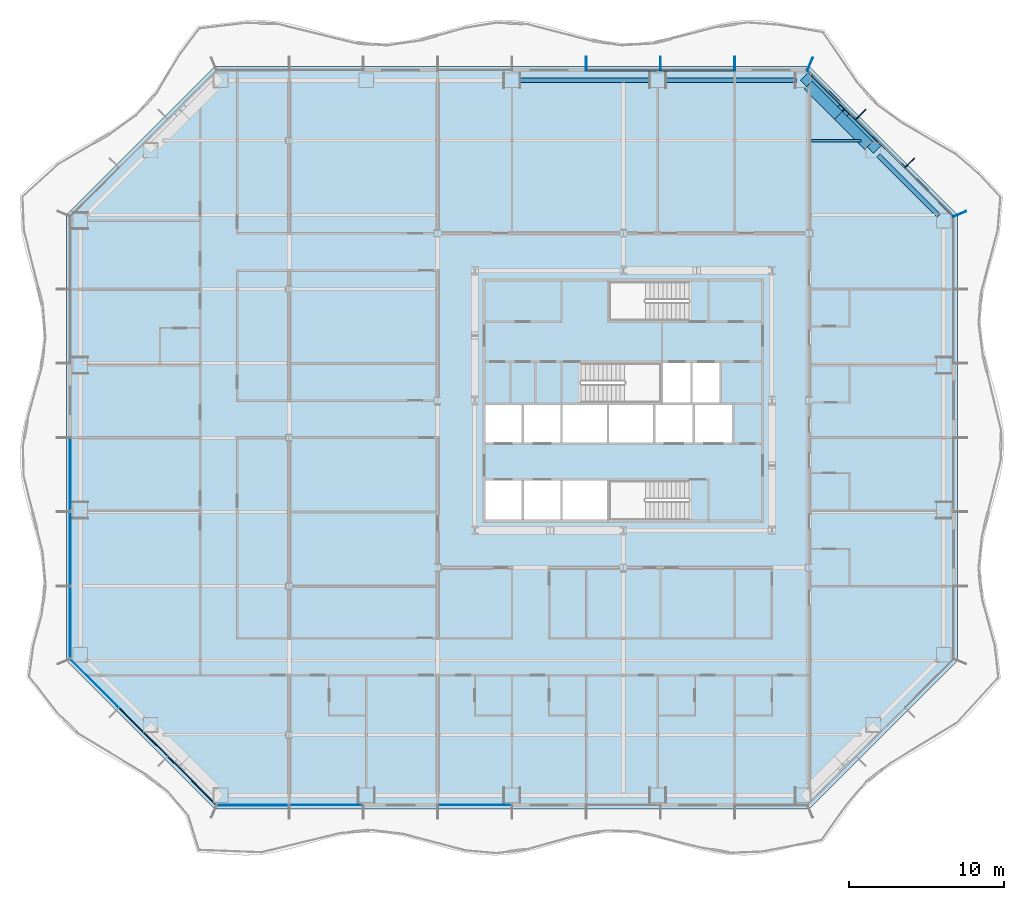
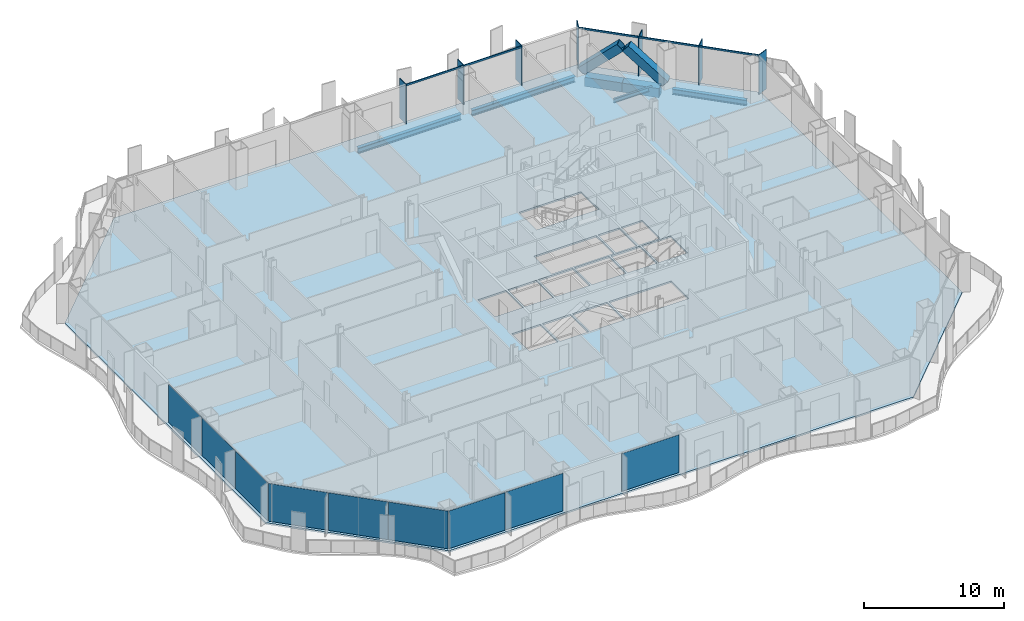
# One storey, part 4 of 21: 14 members, 9 plates, 6 beams, 1 slab, 5 elements without a shape of their own.
"""IFC4 building model written with IfcOpenShell, lengths in metres."""

from ifc_helpers import new_model, si_unit, direction, frame, origin, origin_2d, place, context, subcontext, project, spatial, polyline, rectangle, hollow_rectangle, i_section, outline, extrude, material, layer, layer_set, material_profile, profile_set, type_object, element, aggregate, save


model = new_model("IFC4")

# Units and contexts
model_context = context("Model", 3, precision=1e-05, world=origin(), true_north=direction((0.0, 1.0)))
body_context = subcontext(model_context, "Body", "Model", "MODEL_VIEW")
ifc_project = project(units=[si_unit("LENGTHUNIT", "METRE"), si_unit("AREAUNIT", "SQUARE_METRE"), si_unit("VOLUMEUNIT", "CUBIC_METRE"), si_unit("PLANEANGLEUNIT", "RADIAN"), si_unit("MASSUNIT", "GRAM", prefix="KILO")], contexts=[model_context])

# Site, building, storey
site_placement = place(None, origin())
site = spatial("IfcSite", under=ifc_project, at=site_placement, CompositionType="ELEMENT")
building_placement = place(site_placement, origin())
building = spatial("IfcBuilding", under=site, at=building_placement, Name="Cairn Pilgrim Tower", CompositionType="ELEMENT")
storey_placement = place(building_placement, frame((0.0, 0.0, 47.39990234375)))
storey = spatial("IfcBuildingStorey", under=building, at=storey_placement, Name="L09", CompositionType="ELEMENT", Elevation=47.39990234375)

# Members
ifc_material_1 = material(Name="Structural steel S460M", Category="steel")
ifc_material_profile_1 = material_profile(ifc_material_1, hollow_rectangle(XDim=0.699951171875, YDim=0.699951171875, WallThickness=0.0400390625, at=origin_2d()), Name="BOX 700x700x40")
ifc_profile_set_1 = profile_set([ifc_material_profile_1], Name="Structural steel S460M")
member_type_1 = type_object("IfcMemberType", Name="BOX 700x700x40 BRACE", PredefinedType="BRACE", material=ifc_profile_set_1)
member_1_placement = place(storey_placement, frame((23.44482421875, 18.786376953125, 0.150146484375), z_axis=(-0.528090425698, 0.528090425698, 0.665012033404), x_axis=(-0.707106781187, -0.707106781187, 0.0)))
element("IfcMember", 1, at=member_1_placement, inside=storey, type_object=member_type_1, Name="XB-NE2-N1-1", PredefinedType="BRACE", context=body_context, shape_type="SweptSolid", body=[
    extrude(hollow_rectangle(XDim=0.699951171875, YDim=0.699951171875, WallThickness=0.0400390625, at=origin_2d()), origin(), (0.0, 0.0, 1.0), 3.899658203125),
])
member_2_placement = place(storey_placement, frame((19.0498046875, 23.181396484375, 0.150146484375), z_axis=(0.528118110354, -0.528118110354, 0.664968061663), x_axis=(0.707106781187, 0.707106781187, 0.0)))
element("IfcMember", 2, at=member_2_placement, inside=storey, type_object=member_type_1, Name="XB-NE2-N1-2", PredefinedType="BRACE", context=body_context, shape_type="SweptSolid", body=[
    extrude(hollow_rectangle(XDim=0.699951171875, YDim=0.699951171875, WallThickness=0.0400390625, at=origin_2d()), origin(), (0.0, 0.0, 1.0), 3.89990234375),
])

# Beams
ifc_material_2 = material(Name="Structural steel S355J2", Category="steel")
ifc_material_profile_2 = material_profile(ifc_material_2, hollow_rectangle(XDim=0.699951171875, YDim=0.800048828125, WallThickness=0.0400390625, at=origin_2d()), Name="BOX 700x800x40")
ifc_profile_set_2 = profile_set([ifc_material_profile_2], Name="Structural steel S355J2")
beam_type_1 = type_object("IfcBeamType", Name="BOX 700x800x40 RING GIRDER", PredefinedType="SPANDREL", material=ifc_profile_set_2)
for number, where, z_axis, x_axis, name in (
    (3, (23.04541015625, 18.8818359375, -0.5498046875), (-0.707106781187, 0.707106781187, 0.0), (-0.707106781187, -0.707106781187, 0.0), "RG1-NE2-N1-1"),
    (4, (21.095458984375, 20.831787109375, -0.5498046875), (-0.707106781187, 0.707106781187, 0.0), (-0.707106781187, -0.707106781187, 0.0), "RG1-NE2-N1-2"),
):
    element("IfcBeam", number, at=place(storey_placement, frame(where, z_axis=z_axis, x_axis=x_axis)), inside=storey, type_object=beam_type_1, Name=name, PredefinedType="SPANDREL", context=body_context, shape_type="SweptSolid", body=[
        extrude(hollow_rectangle(XDim=0.699951171875, YDim=0.800048828125, WallThickness=0.0400390625, at=origin_2d()), origin(), (0.0, 0.0, 1.0), 2.757568359375),
    ])

# Curtain wall, members
ifc_material_3 = material(Name="Aluminium alloy 6063-T6 bronze anodised with Bronze tinted laminated low-E glass 8+16+8.8", Category="aluminium")
curtain_wall_type_1 = type_object("IfcCurtainWallType", Name="CHAMFER CORNER CURTAIN WALL", PredefinedType="NOTDEFINED", material=ifc_material_3)
curtain_wall_1_placement = place(storey_placement, origin())
curtain_wall_1 = element("IfcCurtainWall", 5, at=curtain_wall_1_placement, inside=storey, type_object=curtain_wall_type_1, Name="Chamfer Corner Curtain Wall NE", PredefinedType="NOTDEFINED")
ifc_material_4 = material(Name="Aluminium alloy 6063-T6 bronze anodised", Category="aluminium")
ifc_material_profile_3 = material_profile(ifc_material_4, rectangle(XDim=0.89990234375, YDim=0.06005859375, at=origin_2d()), Name="FIN MULLION 60x900 BRONZE")
ifc_profile_set_3 = profile_set([ifc_material_profile_3], Name="Aluminium alloy 6063-T6 bronze anodised")
member_type_2 = type_object("IfcMemberType", Name="FIN MULLION 60x900 BRONZE", PredefinedType="MULLION", material=ifc_profile_set_3)
member_3_placement = place(storey_placement, frame((28.93798828125, 14.457275390625, 0.0), z_axis=(0.0, 0.0, 1.0), x_axis=(0.923879532511, 0.382683432365, 0.0)))
member_3 = element("IfcMember", 6, at=member_3_placement, type_object=member_type_2, Name="Fin mullion NE1", PredefinedType="MULLION", context=body_context, shape_type="SweptSolid", body=[
    extrude(rectangle(XDim=0.89990234375, YDim=0.06005859375, at=origin_2d()), origin(), (0.0, 0.0, 1.0), 3.4501953125),
])
member_4_placement = place(storey_placement, frame((25.69580078125, 17.74462890625, 0.0), z_axis=(0.0, 0.0, 1.0), x_axis=(0.707106781187, 0.707106781187, 0.0)))
member_4 = element("IfcMember", 7, at=member_4_placement, type_object=member_type_2, Name="Fin mullion NE2", PredefinedType="MULLION", context=body_context, shape_type="SweptSolid", body=[
    extrude(rectangle(XDim=0.89990234375, YDim=0.06005859375, at=origin_2d()), origin(), (0.0, 0.0, 1.0), 3.4501953125),
])
member_5_placement = place(storey_placement, frame((22.544677734375, 20.895751953125, 0.0), z_axis=(0.0, 0.0, 1.0), x_axis=(0.707106781187, 0.707106781187, 0.0)))
member_5 = element("IfcMember", 8, at=member_5_placement, type_object=member_type_2, Name="Fin mullion NE3", PredefinedType="MULLION", context=body_context, shape_type="SweptSolid", body=[
    extrude(rectangle(XDim=0.89990234375, YDim=0.06005859375, at=origin_2d()), origin(), (0.0, 0.0, 1.0), 3.4501953125),
])

curtain_wall_type_2 = type_object("IfcCurtainWallType", Name="TOWER STICK CURTAIN WALL NS", PredefinedType="NOTDEFINED", material=ifc_material_3)
curtain_wall_2_placement = place(storey_placement, origin())
curtain_wall_2 = element("IfcCurtainWall", 9, at=curtain_wall_2_placement, inside=storey, type_object=curtain_wall_type_2, Name="Tower Stick Curtain Wall Ns N", PredefinedType="NOTDEFINED")
member_6_placement = place(storey_placement, frame((19.257080078125, 24.137939453125, 0.0), z_axis=(0.0, 0.0, 1.0), x_axis=(0.382683432365, 0.923879532511, 0.0)))
member_6 = element("IfcMember", 10, at=member_6_placement, type_object=member_type_2, Name="Fin mullion N1", PredefinedType="MULLION", context=body_context, shape_type="SweptSolid", body=[
    extrude(rectangle(XDim=0.89990234375, YDim=0.06005859375, at=origin_2d()), origin(), (0.0, 0.0, 1.0), 3.4501953125),
])
member_7_placement = place(storey_placement, frame((14.39990234375, 24.169921875, 0.0), z_axis=(0.0, 0.0, 1.0), x_axis=(0.0, 1.0, 0.0)))
member_7 = element("IfcMember", 11, at=member_7_placement, type_object=member_type_2, Name="Fin mullion N2", PredefinedType="MULLION", context=body_context, shape_type="SweptSolid", body=[
    extrude(rectangle(XDim=0.89990234375, YDim=0.06005859375, at=origin_2d()), origin(), (0.0, 0.0, 1.0), 3.4501953125),
])
member_8_placement = place(storey_placement, frame((9.60009765625, 24.169921875, 0.0), z_axis=(0.0, 0.0, 1.0), x_axis=(0.0, 1.0, 0.0)))
member_8 = element("IfcMember", 12, at=member_8_placement, type_object=member_type_2, Name="Fin mullion N3", PredefinedType="MULLION", context=body_context, shape_type="SweptSolid", body=[
    extrude(rectangle(XDim=0.89990234375, YDim=0.06005859375, at=origin_2d()), origin(), (0.0, 0.0, 1.0), 3.4501953125),
])
member_9_placement = place(storey_placement, frame((4.800048828125, 24.169921875, 0.0), z_axis=(0.0, 0.0, 1.0), x_axis=(0.0, 1.0, 0.0)))
member_9 = element("IfcMember", 13, at=member_9_placement, type_object=member_type_2, Name="Fin mullion N4", PredefinedType="MULLION", context=body_context, shape_type="SweptSolid", body=[
    extrude(rectangle(XDim=0.89990234375, YDim=0.06005859375, at=origin_2d()), origin(), (0.0, 0.0, 1.0), 3.4501953125),
])

# Beams
ifc_material_profile_4 = material_profile(ifc_material_2, i_section(OverallWidth=0.300048828125, OverallDepth=0.5, WebThickness=0.014404296875, FlangeThickness=0.028076171875, FilletRadius=0.027099609375, at=origin_2d()), Name="HEB 500")
ifc_profile_set_4 = profile_set([ifc_material_profile_4], Name="Structural steel S355J2")
beam_type_2 = type_object("IfcBeamType", Name="HEB 500 RING GIRDER", PredefinedType="SPANDREL", material=ifc_profile_set_4)
beam_1_placement = place(storey_placement, frame((27.581787109375, 14.345458984375, -0.39990234375), z_axis=(-0.707106781187, 0.707106781187, 0.0), x_axis=(-0.707106781187, -0.707106781187, 0.0)))
element("IfcBeam", 14, at=beam_1_placement, inside=storey, type_object=beam_type_2, Name="RG1-NE1-NE2", PredefinedType="SPANDREL", context=body_context, shape_type="SweptSolid", body=[
    extrude(i_section(OverallWidth=0.300048828125, OverallDepth=0.5, WebThickness=0.014404296875, FlangeThickness=0.028076171875, FilletRadius=0.027099609375, at=origin_2d()), origin(), (0.0, 0.0, 1.0), 5.515380859375),
])
for number, where, z_axis, x_axis, name in (
    (15, (18.377197265625, 23.10009765625, -0.39990234375), (-1.0, 0.0, 0.0), (0.0, -1.0, 0.0), "RG1-N1-N2"),
    (16, (8.963623046875, 23.10009765625, -0.39990234375), (-1.0, 0.0, 0.0), (0.0, -1.0, 0.0), "RG1-N2-N3"),
):
    element("IfcBeam", number, at=place(storey_placement, frame(where, z_axis=z_axis, x_axis=x_axis)), inside=storey, type_object=beam_type_2, Name=name, PredefinedType="SPANDREL", context=body_context, shape_type="SweptSolid", body=[
        extrude(i_section(OverallWidth=0.300048828125, OverallDepth=0.5, WebThickness=0.014404296875, FlangeThickness=0.028076171875, FilletRadius=0.027099609375, at=origin_2d()), origin(), (0.0, 0.0, 1.0), 8.513671875),
    ])
ifc_material_profile_5 = material_profile(ifc_material_2, i_section(OverallWidth=0.169921875, OverallDepth=0.360107421875, WebThickness=0.008056640625, FlangeThickness=0.0126953125, FilletRadius=0.01806640625, at=origin_2d()), Name="IPE 360")
ifc_profile_set_5 = profile_set([ifc_material_profile_5], Name="Structural steel S355J2")
beam_type_3 = type_object("IfcBeamType", Name="IPE 360 SECONDARY BEAM", PredefinedType="JOIST", material=ifc_profile_set_5)
beam_2_placement = place(storey_placement, frame((19.35009765625, 19.199951171875, -0.329833984375), z_axis=(1.0, 0.0, 0.0), x_axis=(0.0, 1.0, 0.0)))
element("IfcBeam", 17, at=beam_2_placement, inside=storey, type_object=beam_type_3, Name="SB9-5", PredefinedType="JOIST", context=body_context, shape_type="SweptSolid", body=[
    extrude(i_section(OverallWidth=0.169921875, OverallDepth=0.360107421875, WebThickness=0.008056640625, FlangeThickness=0.0126953125, FilletRadius=0.01806640625, at=origin_2d()), origin(), (0.0, 0.0, 1.0), 3.195068359375),
])

# Member
ifc_material_profile_6 = material_profile(ifc_material_4, rectangle(XDim=0.080078125, YDim=0.14990234375, at=origin_2d()), Name="TRANSOM 80x150 BRONZE")
ifc_profile_set_6 = profile_set([ifc_material_profile_6], Name="Aluminium alloy 6063-T6 bronze anodised")
member_type_3 = type_object("IfcMemberType", Name="TRANSOM 80x150 BRONZE", PredefinedType="USERDEFINED", material=ifc_profile_set_6)
member_10_placement = place(storey_placement, frame((28.521728515625, 14.32470703125, 3.375), z_axis=(-0.707106781187, 0.707106781187, 0.0), x_axis=(-0.707106781187, -0.707106781187, 0.0)))
member_10 = element("IfcMember", 18, at=member_10_placement, type_object=member_type_3, Name="Transom NE1", ObjectType="TRANSOM", PredefinedType="USERDEFINED", context=body_context, shape_type="SweptSolid", body=[
    extrude(rectangle(XDim=0.080078125, YDim=0.14990234375, at=origin_2d()), origin(), (0.0, 0.0, 1.0), 4.38671875),
])

member_11_placement = place(storey_placement, frame((25.377685546875, 17.46875, 3.375), z_axis=(-0.707106781187, 0.707106781187, 0.0), x_axis=(-0.707106781187, -0.707106781187, 0.0)))
member_11 = element("IfcMember", 19, at=member_11_placement, type_object=member_type_3, Name="Transom NE2", ObjectType="TRANSOM", PredefinedType="USERDEFINED", context=body_context, shape_type="SweptSolid", body=[
    extrude(rectangle(XDim=0.080078125, YDim=0.14990234375, at=origin_2d()), origin(), (0.0, 0.0, 1.0), 4.396728515625),
])

member_12_placement = place(storey_placement, frame((22.226318359375, 20.6201171875, 3.375), z_axis=(-0.707106781187, 0.707106781187, 0.0), x_axis=(-0.707106781187, -0.707106781187, 0.0)))
member_12 = element("IfcMember", 20, at=member_12_placement, type_object=member_type_3, Name="Transom NE3", ObjectType="TRANSOM", PredefinedType="USERDEFINED", context=body_context, shape_type="SweptSolid", body=[
    extrude(rectangle(XDim=0.080078125, YDim=0.14990234375, at=origin_2d()), origin(), (0.0, 0.0, 1.0), 4.38623046875),
])

aggregate(curtain_wall_1, [member_3, member_4, member_5, member_10, member_11, member_12])

member_13_placement = place(storey_placement, frame((14.3701171875, 23.75, 3.375), z_axis=(-1.0, 0.0, 0.0), x_axis=(0.0, -1.0, 0.0)))
member_13 = element("IfcMember", 21, at=member_13_placement, type_object=member_type_3, Name="Transom N2", ObjectType="TRANSOM", PredefinedType="USERDEFINED", context=body_context, shape_type="SweptSolid", body=[
    extrude(rectangle(XDim=0.080078125, YDim=0.14990234375, at=origin_2d()), origin(), (0.0, 0.0, 1.0), 4.740234375),
])

member_14_placement = place(storey_placement, frame((9.570068359375, 23.75, 3.375), z_axis=(-1.0, 0.0, 0.0), x_axis=(0.0, -1.0, 0.0)))
member_14 = element("IfcMember", 22, at=member_14_placement, type_object=member_type_3, Name="Transom N3", ObjectType="TRANSOM", PredefinedType="USERDEFINED", context=body_context, shape_type="SweptSolid", body=[
    extrude(rectangle(XDim=0.080078125, YDim=0.14990234375, at=origin_2d()), origin(), (0.0, 0.0, 1.0), 4.739990234375),
])

aggregate(curtain_wall_2, [member_6, member_7, member_8, member_9, member_13, member_14])

# Slab
ifc_material_5 = material(Name="Concrete C35/45", Category="concrete")
ifc_layer_1 = layer(ifc_material_5, 0.14990234375)
ifc_layer_set_1 = layer_set([ifc_layer_1], Name="COMPOSITE FLOOR SLAB 150")
slab_type = type_object("IfcSlabType", Name="COMPOSITE FLOOR SLAB 150", PredefinedType="FLOOR", material=ifc_layer_set_1)
slab_placement = place(storey_placement, frame((0.0, 0.0, -0.14990234375)))
element("IfcSlab", 23, at=slab_placement, inside=storey, type_object=slab_type, Name="FLOOR SLAB L09", PredefinedType="FLOOR", context=body_context, shape_type="SweptSolid", body=[
    extrude(outline(polyline([(-19.199951171875, -24.0), (19.199951171875, -24.0), (28.800048828125, -14.39990234375), (28.800048828125, 14.39990234375), (19.199951171875, 24.0), (-19.199951171875, 24.0), (-28.800048828125, 14.39990234375), (-28.800048828125, -14.39990234375), (-19.199951171875, -24.0)]), holes=[polyline([(-1.72509765625, -5.300048828125), (0.625, -5.300048828125), (0.625, -2.77490234375), (-1.72509765625, -2.77490234375), (-1.72509765625, -5.300048828125)]), polyline([(0.77490234375, -5.300048828125), (3.125, -5.300048828125), (3.125, -2.77490234375), (0.77490234375, -2.77490234375), (0.77490234375, -5.300048828125)]), polyline([(-1.72509765625, -0.324951171875), (0.625, -0.324951171875), (0.625, 2.125), (-1.72509765625, 2.125), (-1.72509765625, -0.324951171875)]), polyline([(0.77490234375, -0.324951171875), (3.125, -0.324951171875), (3.125, 2.125), (0.77490234375, 2.125), (0.77490234375, -0.324951171875)]), polyline([(3.27490234375, -5.300048828125), (6.125, -5.300048828125), (6.125, -2.77490234375), (3.27490234375, -2.77490234375), (3.27490234375, -5.300048828125)]), polyline([(3.27490234375, -0.324951171875), (6.125, -0.324951171875), (6.125, 2.125), (3.27490234375, 2.125), (3.27490234375, -0.324951171875)]), polyline([(6.27490234375, -0.324951171875), (9.125, -0.324951171875), (9.125, 2.125), (6.27490234375, 2.125), (6.27490234375, -0.324951171875)]), polyline([(9.27490234375, -0.324951171875), (11.675048828125, -0.324951171875), (11.675048828125, 2.125), (9.27490234375, 2.125), (9.27490234375, -0.324951171875)]), polyline([(11.824951171875, -0.324951171875), (14.22509765625, -0.324951171875), (14.22509765625, 2.125), (11.824951171875, 2.125), (11.824951171875, -0.324951171875)]), polyline([(9.77490234375, 2.27490234375), (11.52490234375, 2.27490234375), (11.52490234375, 4.824951171875), (9.77490234375, 4.824951171875), (9.77490234375, 2.27490234375)]), polyline([(11.675048828125, 2.27490234375), (13.425048828125, 2.27490234375), (13.425048828125, 4.824951171875), (11.675048828125, 4.824951171875), (11.675048828125, 2.27490234375)]), polyline([(11.424560546875, -2.77490234375), (6.27490234375, -2.77490234375), (6.27490234375, -5.300048828125), (11.424560546875, -5.300048828125), (11.424560546875, -2.77490234375)]), polyline([(4.4755859375, 2.27490234375), (9.625, 2.27490234375), (9.625, 4.824951171875), (4.4755859375, 4.824951171875), (4.4755859375, 2.27490234375)]), polyline([(11.424560546875, 10.10009765625), (6.27490234375, 10.10009765625), (6.27490234375, 7.574951171875), (11.424560546875, 7.574951171875), (11.424560546875, 10.10009765625)])]), origin(), (0.0, 0.0, 1.0), 0.14990234375),
])

# Curtain wall, plates
curtain_wall_3_placement = place(storey_placement, origin())
curtain_wall_3 = element("IfcCurtainWall", 24, at=curtain_wall_3_placement, inside=storey, type_object=curtain_wall_type_1, Name="Chamfer Corner Curtain Wall SW", PredefinedType="NOTDEFINED")
ifc_material_6 = material(Name="Bronze anodised aluminium spandrel panel with mineral wool insulation", Category="aluminium")
ifc_layer_2 = layer(ifc_material_6, 0.06005859375)
ifc_layer_set_2 = layer_set([ifc_layer_2], Name="SPANDREL PANEL 4386x3300")
plate_type_1 = type_object("IfcPlateType", Name="SPANDREL PANEL 4386x3300", PredefinedType="CURTAIN_PANEL", material=ifc_layer_set_2)
plate_1_placement = place(storey_placement, frame((-20.675537109375, -22.1708984375, 0.0), z_axis=(0.0, 0.0, 1.0), x_axis=(0.707106781187, -0.707106781187, 0.0)))
plate_1 = element("IfcPlate", 25, at=plate_1_placement, type_object=plate_type_1, Name="Spandrel Panel SW3-1", PredefinedType="CURTAIN_PANEL", context=body_context, shape_type="SweptSolid", body=[
    extrude(rectangle(XDim=4.386474609375, YDim=0.06005859375, at=origin_2d()), origin(), (0.0, 0.0, 1.0), 3.300048828125),
])
ifc_layer_3 = layer(ifc_material_6, 0.06005859375)
ifc_layer_set_3 = layer_set([ifc_layer_3], Name="SPANDREL PANEL 4396x3300")
plate_type_2 = type_object("IfcPlateType", Name="SPANDREL PANEL 4396x3300", PredefinedType="CURTAIN_PANEL", material=ifc_layer_set_3)
plate_2_placement = place(storey_placement, frame((-23.8232421875, -19.023193359375, 0.0), z_axis=(0.0, 0.0, 1.0), x_axis=(0.707106781187, -0.707106781187, 0.0)))
plate_2 = element("IfcPlate", 26, at=plate_2_placement, type_object=plate_type_2, Name="Spandrel Panel SW2-1", PredefinedType="CURTAIN_PANEL", context=body_context, shape_type="SweptSolid", body=[
    extrude(rectangle(XDim=4.396484375, YDim=0.06005859375, at=origin_2d()), origin(), (0.0, 0.0, 1.0), 3.300048828125),
])

# Curtain wall, plate
curtain_wall_4_placement = place(storey_placement, origin())
curtain_wall_4 = element("IfcCurtainWall", 27, at=curtain_wall_4_placement, inside=storey, type_object=curtain_wall_type_2, Name="Tower Stick Curtain Wall Ns S", PredefinedType="NOTDEFINED")
ifc_layer_4 = layer(ifc_material_6, 0.06005859375)
ifc_layer_set_4 = layer_set([ifc_layer_4], Name="SPANDREL PANEL 4626x3300")
plate_type_3 = type_object("IfcPlateType", Name="SPANDREL PANEL 4626x3300", PredefinedType="CURTAIN_PANEL", material=ifc_layer_set_4)
plate_3_placement = place(storey_placement, frame((-16.7431640625, -23.75, 0.0), z_axis=(0.0, 0.0, 1.0), x_axis=(1.0, 0.0, 0.0)))
plate_3 = element("IfcPlate", 28, at=plate_3_placement, type_object=plate_type_3, Name="Spandrel Panel S1-1", PredefinedType="CURTAIN_PANEL", context=body_context, shape_type="SweptSolid", body=[
    extrude(rectangle(XDim=4.62646484375, YDim=0.06005859375, at=origin_2d()), origin(), (0.0, 0.0, 1.0), 3.300048828125),
])

# Plate
ifc_material_7 = material(Name="Bronze tinted laminated low-E glass 8+16+8.8", Category="glass")
ifc_layer_5 = layer(ifc_material_7, 0.033935546875)
ifc_layer_set_5 = layer_set([ifc_layer_5], Name="VISION GLAZING 4386x3300")
plate_type_4 = type_object("IfcPlateType", Name="VISION GLAZING 4386x3300", PredefinedType="CURTAIN_PANEL", material=ifc_layer_set_5)
plate_4_placement = place(storey_placement, frame((-26.970947265625, -15.87548828125, 0.0), z_axis=(0.0, 0.0, 1.0), x_axis=(0.707106781187, -0.707106781187, 0.0)))
plate_4 = element("IfcPlate", 29, at=plate_4_placement, type_object=plate_type_4, Name="Vision Glazing SW1-1", PredefinedType="CURTAIN_PANEL", context=body_context, shape_type="SweptSolid", body=[
    extrude(rectangle(XDim=4.386474609375, YDim=0.033935546875, at=origin_2d()), origin(), (0.0, 0.0, 1.0), 3.300048828125),
])

aggregate(curtain_wall_3, [plate_4, plate_2, plate_1])

# Curtain wall, plate
curtain_wall_type_3 = type_object("IfcCurtainWallType", Name="TOWER STICK CURTAIN WALL EW", PredefinedType="NOTDEFINED", material=ifc_material_3)
curtain_wall_5_placement = place(storey_placement, origin())
curtain_wall_5 = element("IfcCurtainWall", 30, at=curtain_wall_5_placement, inside=storey, type_object=curtain_wall_type_3, Name="Tower Stick Curtain Wall Ew W", PredefinedType="NOTDEFINED")
ifc_layer_6 = layer(ifc_material_7, 0.033935546875)
ifc_layer_set_6 = layer_set([ifc_layer_6], Name="VISION GLAZING 4626x3300")
plate_type_5 = type_object("IfcPlateType", Name="VISION GLAZING 4626x3300", PredefinedType="CURTAIN_PANEL", material=ifc_layer_set_6)
plate_5_placement = place(storey_placement, frame((-28.550048828125, -11.943115234375, 0.0), z_axis=(0.0, 0.0, 1.0), x_axis=(0.0, -1.0, 0.0)))
plate_5 = element("IfcPlate", 31, at=plate_5_placement, type_object=plate_type_5, Name="Vision Glazing W6-1", PredefinedType="CURTAIN_PANEL", context=body_context, shape_type="SweptSolid", body=[
    extrude(rectangle(XDim=4.62646484375, YDim=0.033935546875, at=origin_2d()), origin(), (0.0, 0.0, 1.0), 3.300048828125),
])

# Plate
ifc_layer_7 = layer(ifc_material_7, 0.033935546875)
ifc_layer_set_7 = layer_set([ifc_layer_7], Name="VISION GLAZING 4740x3300")
plate_type_6 = type_object("IfcPlateType", Name="VISION GLAZING 4740x3300", PredefinedType="CURTAIN_PANEL", material=ifc_layer_set_7)
plate_6_placement = place(storey_placement, frame((-12.0, -23.75, 0.0), z_axis=(0.0, 0.0, 1.0), x_axis=(1.0, 0.0, 0.0)))
plate_6 = element("IfcPlate", 32, at=plate_6_placement, type_object=plate_type_6, Name="Vision Glazing S2-1", PredefinedType="CURTAIN_PANEL", context=body_context, shape_type="SweptSolid", body=[
    extrude(rectangle(XDim=4.739990234375, YDim=0.033935546875, at=origin_2d()), origin(), (0.0, 0.0, 1.0), 3.300048828125),
])

plate_7_placement = place(storey_placement, frame((-2.39990234375, -23.75, 0.0), z_axis=(0.0, 0.0, 1.0), x_axis=(1.0, 0.0, 0.0)))
plate_7 = element("IfcPlate", 33, at=plate_7_placement, type_object=plate_type_6, Name="Vision Glazing S4-1", PredefinedType="CURTAIN_PANEL", context=body_context, shape_type="SweptSolid", body=[
    extrude(rectangle(XDim=4.739990234375, YDim=0.033935546875, at=origin_2d()), origin(), (0.0, 0.0, 1.0), 3.300048828125),
])

aggregate(curtain_wall_4, [plate_3, plate_6, plate_7])

plate_8_placement = place(storey_placement, frame((-28.550048828125, -2.39990234375, 0.0), z_axis=(0.0, 0.0, 1.0), x_axis=(0.0, -1.0, 0.0)))
plate_8 = element("IfcPlate", 34, at=plate_8_placement, type_object=plate_type_6, Name="Vision Glazing W4-1", PredefinedType="CURTAIN_PANEL", context=body_context, shape_type="SweptSolid", body=[
    extrude(rectangle(XDim=4.739990234375, YDim=0.033935546875, at=origin_2d()), origin(), (0.0, 0.0, 1.0), 3.300048828125),
])

plate_9_placement = place(storey_placement, frame((-28.550048828125, -7.199951171875, 0.0), z_axis=(0.0, 0.0, 1.0), x_axis=(0.0, -1.0, 0.0)))
plate_9 = element("IfcPlate", 35, at=plate_9_placement, type_object=plate_type_6, Name="Vision Glazing W5-1", PredefinedType="CURTAIN_PANEL", context=body_context, shape_type="SweptSolid", body=[
    extrude(rectangle(XDim=4.739990234375, YDim=0.033935546875, at=origin_2d()), origin(), (0.0, 0.0, 1.0), 3.300048828125),
])

aggregate(curtain_wall_5, [plate_8, plate_9, plate_5])

save(model, "model.ifc")
